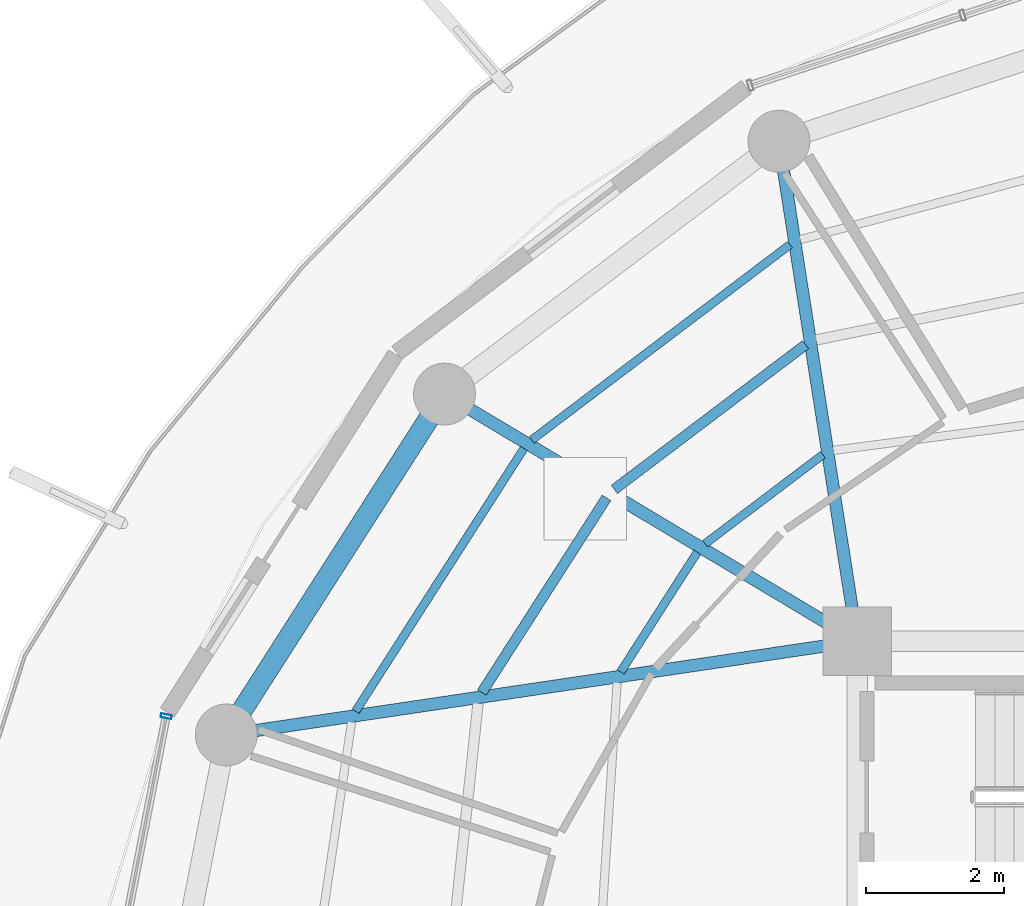
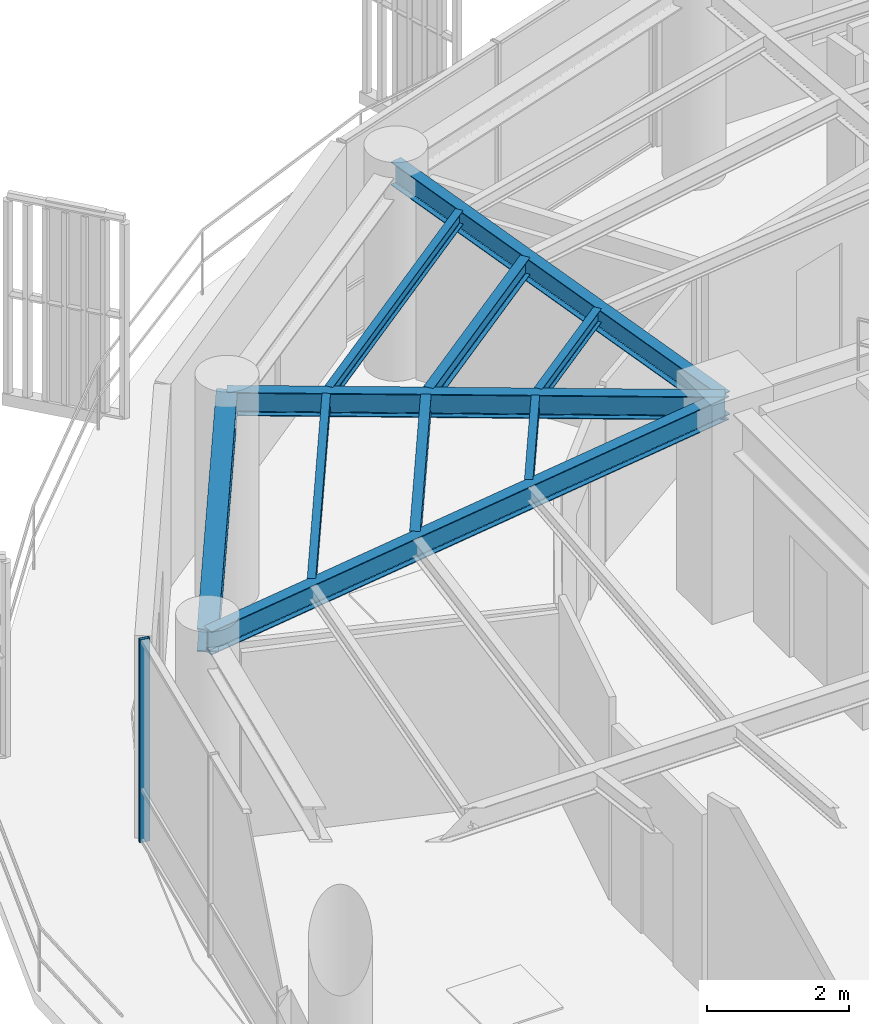
# One storey, part 8 of 24: 10 beams, 1 member, 1 element without a shape of its own.
"""IFC4 building model written with IfcOpenShell, lengths in metres."""

from ifc_helpers import new_model, si_unit, direction, frame, origin, origin_2d, place, context, subcontext, project, spatial, hollow_rectangle, i_section, extrude, material, layer, layer_set, material_profile, profile_set, type_object, element, aggregate, save


model = new_model("IFC4")

# Units and contexts
model_context = context("Model", 3, precision=1e-05, world=origin(), true_north=direction((0.0, 1.0)))
body_context = subcontext(model_context, "Body", "Model", "MODEL_VIEW")
ifc_project = project(units=[si_unit("LENGTHUNIT", "METRE"), si_unit("AREAUNIT", "SQUARE_METRE"), si_unit("VOLUMEUNIT", "CUBIC_METRE"), si_unit("PLANEANGLEUNIT", "RADIAN"), si_unit("MASSUNIT", "GRAM", prefix="KILO")], contexts=[model_context])

# Site, building, storey
site_placement = place(None, origin())
site = spatial("IfcSite", under=ifc_project, at=site_placement, CompositionType="ELEMENT")
building_placement = place(site_placement, origin())
building = spatial("IfcBuilding", under=site, at=building_placement, Name="Kelanora Arch Commons", CompositionType="ELEMENT")
storey_placement = place(building_placement, frame((0.0, 0.0, 248.699951171875)))
storey = spatial("IfcBuildingStorey", under=building, at=storey_placement, Name="L63", CompositionType="ELEMENT", Elevation=248.699951171875)

# Beams
ifc_material_1 = material(Name="Steel S355", Category="steel")
ifc_material_profile_1 = material_profile(ifc_material_1, i_section(OverallWidth=0.14990234375, OverallDepth=0.300048828125, WebThickness=0.007080078125, FlangeThickness=0.0107421875, FilletRadius=0.014892578125, at=origin_2d()), Name="IPE300")
ifc_profile_set_1 = profile_set([ifc_material_profile_1], Name="Steel S355")
beam_type_1 = type_object("IfcBeamType", Name="BM-JST-01", PredefinedType="JOIST", material=ifc_profile_set_1)
beam_1_placement = place(storey_placement, frame((65.248291015625, 69.31201171875, 3.340087890625), z_axis=(-0.797499198801, -0.603320004568, 0.0), x_axis=(0.603320004568, -0.797499198801, 0.0)))
element("IfcBeam", 1, at=beam_1_placement, inside=storey, type_object=beam_type_1, Name="Secondary Chord Joist BJB-12 L63", PredefinedType="JOIST", context=body_context, shape_type="SweptSolid", body=[
    extrude(i_section(OverallWidth=0.14990234375, OverallDepth=0.300048828125, WebThickness=0.007080078125, FlangeThickness=0.0107421875, FilletRadius=0.014892578125, at=origin_2d()), origin(), (0.0, 0.0, 1.0), 3.489013671875),
])
beam_2_placement = place(storey_placement, frame((62.352294921875, 67.084228515625, 3.340087890625), z_axis=(-0.539321586177, -0.842099891155, 0.0), x_axis=(0.842099891155, -0.539321586177, 0.0)))
element("IfcBeam", 2, at=beam_2_placement, inside=storey, type_object=beam_type_1, Name="Secondary Chord Joist BJB-14 L63", PredefinedType="JOIST", context=body_context, shape_type="SweptSolid", body=[
    extrude(i_section(OverallWidth=0.14990234375, OverallDepth=0.300048828125, WebThickness=0.007080078125, FlangeThickness=0.0107421875, FilletRadius=0.014892578125, at=origin_2d()), origin(), (0.0, 0.0, 1.0), 3.361572265625),
])
ifc_material_profile_2 = material_profile(ifc_material_1, i_section(OverallWidth=0.1201171875, OverallDepth=0.239990234375, WebThickness=0.006103515625, FlangeThickness=0.009765625, FilletRadius=0.014892578125, at=origin_2d()), Name="IPE240")
ifc_profile_set_2 = profile_set([ifc_material_profile_2], Name="Steel S355")
beam_type_2 = type_object("IfcBeamType", Name="BM-JST-02", PredefinedType="JOIST", material=ifc_profile_set_2)
beam_3_placement = place(storey_placement, frame((65.4990234375, 67.712158203125, 3.3701171875), z_axis=(-0.797509883882, -0.603305880222, 0.0), x_axis=(0.603305880222, -0.797509883882, 0.0)))
element("IfcBeam", 3, at=beam_3_placement, inside=storey, type_object=beam_type_2, Name="Secondary Chord Joist BJA-12 L63", PredefinedType="JOIST", context=body_context, shape_type="SweptSolid", body=[
    extrude(i_section(OverallWidth=0.1201171875, OverallDepth=0.239990234375, WebThickness=0.006103515625, FlangeThickness=0.009765625, FilletRadius=0.014892578125, at=origin_2d()), origin(), (0.0, 0.0, 1.0), 2.147216796875),
])
beam_4_placement = place(storey_placement, frame((65.020263671875, 70.766357421875, 3.3701171875), z_axis=(-0.79752302984, -0.60328850219, 0.0), x_axis=(0.60328850219, -0.79752302984, 0.0)))
element("IfcBeam", 4, at=beam_4_placement, inside=storey, type_object=beam_type_2, Name="Secondary Chord Joist BJC-12 L63", PredefinedType="JOIST", context=body_context, shape_type="SweptSolid", body=[
    extrude(i_section(OverallWidth=0.1201171875, OverallDepth=0.239990234375, WebThickness=0.006103515625, FlangeThickness=0.009765625, FilletRadius=0.014892578125, at=origin_2d()), origin(), (0.0, 0.0, 1.0), 4.70849609375),
])
beam_5_placement = place(storey_placement, frame((63.6728515625, 66.293701171875, 3.3701171875), z_axis=(-0.539311810315, -0.842106152011, 0.0), x_axis=(0.842106152011, -0.539311810315, 0.0)))
element("IfcBeam", 5, at=beam_5_placement, inside=storey, type_object=beam_type_2, Name="Secondary Chord Joist BJA-14 L63", PredefinedType="JOIST", context=body_context, shape_type="SweptSolid", body=[
    extrude(i_section(OverallWidth=0.1201171875, OverallDepth=0.239990234375, WebThickness=0.006103515625, FlangeThickness=0.009765625, FilletRadius=0.014892578125, at=origin_2d()), origin(), (0.0, 0.0, 1.0), 2.06640625),
])
beam_6_placement = place(storey_placement, frame((61.151611328125, 67.802978515625, 3.3701171875), z_axis=(-0.539288735289, -0.842120929552, 0.0), x_axis=(0.842120929552, -0.539288735289, 0.0)))
element("IfcBeam", 6, at=beam_6_placement, inside=storey, type_object=beam_type_2, Name="Secondary Chord Joist BJC-14 L63", PredefinedType="JOIST", context=body_context, shape_type="SweptSolid", body=[
    extrude(i_section(OverallWidth=0.1201171875, OverallDepth=0.239990234375, WebThickness=0.006103515625, FlangeThickness=0.009765625, FilletRadius=0.014892578125, at=origin_2d()), origin(), (0.0, 0.0, 1.0), 4.538818359375),
])
ifc_material_profile_3 = material_profile(ifc_material_1, i_section(OverallWidth=0.179931640625, OverallDepth=0.39990234375, WebThickness=0.008544921875, FlangeThickness=0.013427734375, FilletRadius=0.02099609375, at=origin_2d()), Name="IPE400")
ifc_profile_set_3 = profile_set([ifc_material_profile_3], Name="Steel S355")
beam_type_3 = type_object("IfcBeamType", Name="BM-RAD-Z5", PredefinedType="BEAM", material=ifc_profile_set_3)
beam_7_placement = place(storey_placement, frame((66.0, 65.0, 3.2900390625), z_axis=(-0.154855424129, 0.987937142544, 0.0), x_axis=(-0.987937142544, -0.154855424129, 0.0)))
element("IfcBeam", 7, at=beam_7_placement, inside=storey, type_object=beam_type_3, Name="Radial Floor Girder BR-12 L63", PredefinedType="BEAM", context=body_context, shape_type="SweptSolid", body=[
    extrude(i_section(OverallWidth=0.179931640625, OverallDepth=0.39990234375, WebThickness=0.008544921875, FlangeThickness=0.013427734375, FilletRadius=0.02099609375, at=origin_2d()), origin(), (0.0, 0.0, 1.0), 7.361083984375),
])
beam_8_placement = place(storey_placement, frame((66.0, 65.0, 3.2900390625), z_axis=(-0.858062005744, 0.513546097541, 0.0), x_axis=(-0.513546097541, -0.858062005744, 0.0)))
element("IfcBeam", 8, at=beam_8_placement, inside=storey, type_object=beam_type_3, Name="Radial Floor Girder BR-14 L63", PredefinedType="BEAM", context=body_context, shape_type="SweptSolid", body=[
    extrude(i_section(OverallWidth=0.179931640625, OverallDepth=0.39990234375, WebThickness=0.008544921875, FlangeThickness=0.013427734375, FilletRadius=0.02099609375, at=origin_2d()), origin(), (0.0, 0.0, 1.0), 6.99658203125),
])
beam_9_placement = place(storey_placement, frame((66.0, 65.0, 3.2900390625), z_axis=(-0.989142485564, -0.146959665395, 0.0), x_axis=(0.146959665395, -0.989142485564, 0.0)))
element("IfcBeam", 9, at=beam_9_placement, inside=storey, type_object=beam_type_3, Name="Radial Floor Girder BR-16 L63", PredefinedType="BEAM", context=body_context, shape_type="SweptSolid", body=[
    extrude(i_section(OverallWidth=0.179931640625, OverallDepth=0.39990234375, WebThickness=0.008544921875, FlangeThickness=0.013427734375, FilletRadius=0.02099609375, at=origin_2d()), origin(), (0.0, 0.0, 1.0), 9.2783203125),
])
ifc_material_profile_4 = material_profile(ifc_material_1, i_section(OverallWidth=0.300048828125, OverallDepth=0.39990234375, WebThickness=0.013427734375, FlangeThickness=0.02392578125, FilletRadius=0.027099609375, at=origin_2d()), Name="HEB400")
ifc_profile_set_4 = profile_set([ifc_material_profile_4], Name="Steel S355")
beam_type_4 = type_object("IfcBeamType", Name="BM-SPN-Z4", PredefinedType="SPANDREL", material=ifc_profile_set_4)
beam_10_placement = place(storey_placement, frame((59.99658203125, 68.593017578125, 3.2900390625), z_axis=(-0.539280851353, -0.842125978322, 0.0), x_axis=(0.842125978322, -0.539280851353, 0.0)))
element("IfcBeam", 10, at=beam_10_placement, inside=storey, type_object=beam_type_4, Name="Perimeter Spandrel Beam BS-14 L63", PredefinedType="SPANDREL", context=body_context, shape_type="SweptSolid", body=[
    extrude(i_section(OverallWidth=0.300048828125, OverallDepth=0.39990234375, WebThickness=0.013427734375, FlangeThickness=0.02392578125, FilletRadius=0.027099609375, at=origin_2d()), origin(), (0.0, 0.0, 1.0), 5.8857421875),
])

# Curtain wall, member
ifc_material_2 = material(Name="Terracotta ceramic-fritted low-E glass and aluminium", Category="masonry")
ifc_layer = layer(ifc_material_2, 0.18994140625)
ifc_layer_set = layer_set([ifc_layer], Name="Terracotta ceramic-fritted low-E glass and aluminium")
curtain_wall_type = type_object("IfcCurtainWallType", Name="CW-SYS-03", PredefinedType="NOTDEFINED", material=ifc_layer_set)
curtain_wall_placement = place(storey_placement, origin())
curtain_wall = element("IfcCurtainWall", 11, at=curtain_wall_placement, inside=storey, type_object=curtain_wall_type, Name="Unitised Curtain Wall L63-B08", PredefinedType="NOTDEFINED")
ifc_material_3 = material(Name="Powder-coated aluminium terracotta", Category="masonry")
ifc_material_profile_5 = material_profile(ifc_material_3, hollow_rectangle(XDim=0.159912109375, YDim=0.06005859375, WallThickness=0.0048828125, InnerFilletRadius=0.0048828125, OuterFilletRadius=0.010009765625, at=origin_2d()), Name="CWM160x60")
ifc_profile_set_5 = profile_set([ifc_material_profile_5], Name="Powder-coated aluminium terracotta")
member_type = type_object("IfcMemberType", Name="CWM-STD", PredefinedType="MULLION", material=ifc_profile_set_5)
member_placement = place(storey_placement, frame((55.94921875, 63.906982421875, 0.0), z_axis=(0.0, 0.0, 1.0), x_axis=(0.981595542501, -0.190971701941, 0.0)))
member = element("IfcMember", 12, at=member_placement, type_object=member_type, Name="CW-03 mullion 1", PredefinedType="MULLION", context=body_context, shape_type="SweptSolid", body=[
    extrude(hollow_rectangle(XDim=0.159912109375, YDim=0.06005859375, WallThickness=0.0048828125, InnerFilletRadius=0.0048828125, OuterFilletRadius=0.010009765625, at=origin_2d()), origin(), (0.0, 0.0, 1.0), 3.47509765625),
])
aggregate(curtain_wall, [member])

save(model, "model.ifc")
